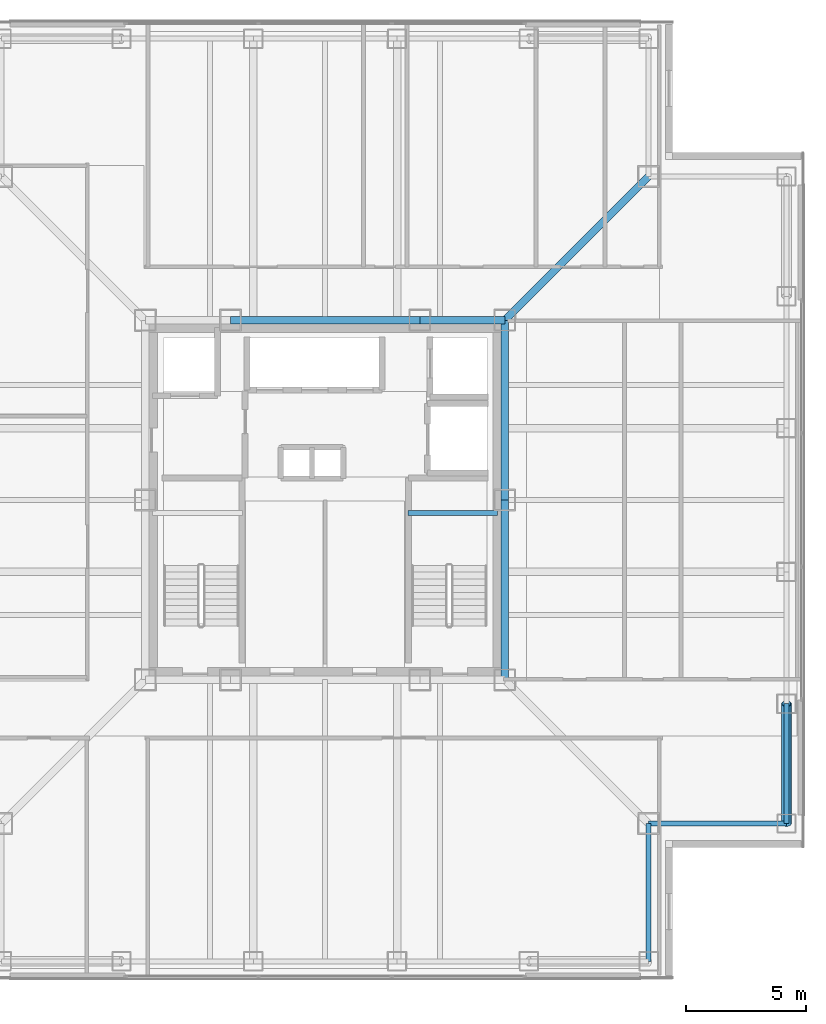
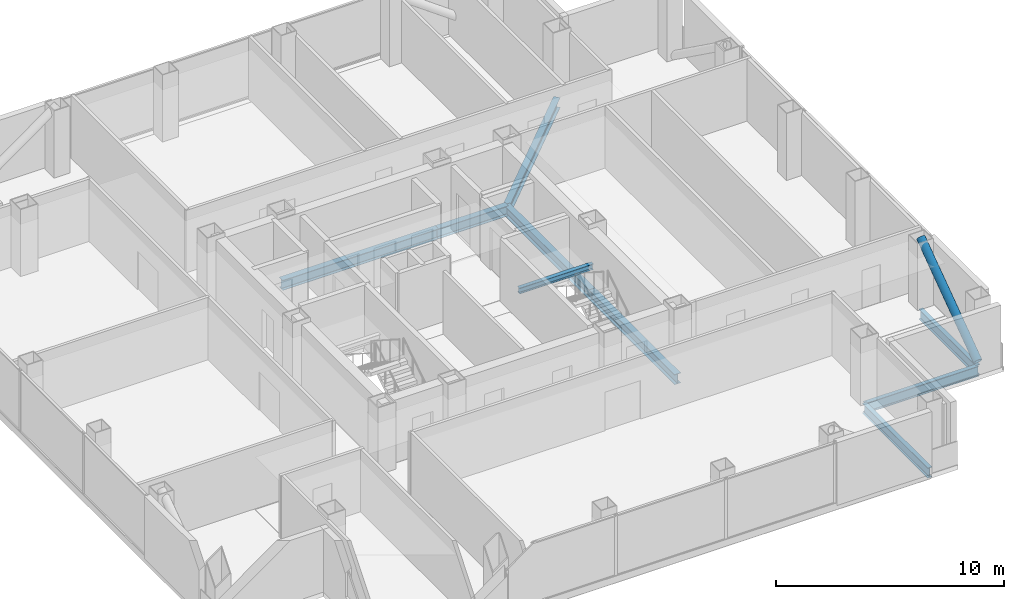
# One storey, part 5 of 16: 9 beams, 1 member.
"""IFC4 building model written with IfcOpenShell, lengths in metres."""

from ifc_helpers import new_model, si_unit, direction, frame, origin, origin_2d, place, context, subcontext, project, spatial, hollow_circle, i_section, extrude, material, material_profile, profile_set, type_object, element, save


model = new_model("IFC4")

# Units and contexts
model_context = context("Model", 3, precision=1e-05, world=origin(), true_north=direction((0.0, 1.0)))
body_context = subcontext(model_context, "Body", "Model", "MODEL_VIEW")
ifc_project = project(units=[si_unit("LENGTHUNIT", "METRE"), si_unit("AREAUNIT", "SQUARE_METRE"), si_unit("VOLUMEUNIT", "CUBIC_METRE"), si_unit("PLANEANGLEUNIT", "RADIAN"), si_unit("MASSUNIT", "GRAM", prefix="KILO")], contexts=[model_context])

# Site, building, storey
site_placement = place(None, origin())
site = spatial("IfcSite", under=ifc_project, at=site_placement, CompositionType="ELEMENT")
building_placement = place(site_placement, origin())
building = spatial("IfcBuilding", under=site, at=building_placement, Name="Trevonay Congress Spire", CompositionType="ELEMENT")
storey_placement = place(building_placement, frame((0.0, 0.0, 180.60009765625)))
storey = spatial("IfcBuildingStorey", under=building, at=storey_placement, Name="L46", CompositionType="ELEMENT", Elevation=180.60009765625)

# Beams
ifc_material_1 = material(Name="Steel ASTM A572 Grade 50", Category="steel")
ifc_material_profile_1 = material_profile(ifc_material_1, i_section(OverallWidth=0.31201171875, OverallDepth=0.54296875, WebThickness=0.0126953125, FlangeThickness=0.020263671875, FilletRadius=0.014892578125, at=origin_2d()), Name="W530x150")
ifc_profile_set_1 = profile_set([ifc_material_profile_1], Name="Steel ASTM A572 Grade 50")
beam_type_1 = type_object("IfcBeamType", Name="BM-GIRD-W530X150", PredefinedType="BEAM", material=ifc_profile_set_1)
beam_1_placement = place(storey_placement, frame((-3.949951171875, 7.5, -0.51171875), z_axis=(1.0, 0.0, 0.0), x_axis=(0.0, 1.0, 0.0)))
element("IfcBeam", 1, at=beam_1_placement, inside=storey, type_object=beam_type_1, Name="L46 structural beam BM-L46-CR-N2", PredefinedType="BEAM", context=body_context, shape_type="SweptSolid", body=[
    extrude(i_section(OverallWidth=0.31201171875, OverallDepth=0.54296875, WebThickness=0.0126953125, FlangeThickness=0.020263671875, FilletRadius=0.014892578125, at=origin_2d()), origin(), (0.0, 0.0, 1.0), 7.89990234375),
])
beam_2_placement = place(storey_placement, frame((3.949951171875, 7.5, -0.51171875), z_axis=(1.0, 0.0, 0.0), x_axis=(0.0, 1.0, 0.0)))
element("IfcBeam", 2, at=beam_2_placement, inside=storey, type_object=beam_type_1, Name="L46 structural beam BM-L46-CR-N3", PredefinedType="BEAM", context=body_context, shape_type="SweptSolid", body=[
    extrude(i_section(OverallWidth=0.31201171875, OverallDepth=0.54296875, WebThickness=0.0126953125, FlangeThickness=0.020263671875, FilletRadius=0.014892578125, at=origin_2d()), origin(), (0.0, 0.0, 1.0), 3.550048828125),
])
for number, where, z_axis, x_axis, name in (
    (3, (7.5, -7.5, -0.51171875), (0.0, 1.0, 0.0), (-1.0, 0.0, 0.0), "L46 structural beam BM-L46-CR-E1"),
    (4, (7.5, 0.0, -0.51171875), (0.0, 1.0, 0.0), (-1.0, 0.0, 0.0), "L46 structural beam BM-L46-CR-E2"),
):
    element("IfcBeam", number, at=place(storey_placement, frame(where, z_axis=z_axis, x_axis=x_axis)), inside=storey, type_object=beam_type_1, Name=name, PredefinedType="BEAM", context=body_context, shape_type="SweptSolid", body=[
        extrude(i_section(OverallWidth=0.31201171875, OverallDepth=0.54296875, WebThickness=0.0126953125, FlangeThickness=0.020263671875, FilletRadius=0.014892578125, at=origin_2d()), origin(), (0.0, 0.0, 1.0), 7.5),
    ])
beam_3_placement = place(storey_placement, frame((7.5, 7.5, -0.51171875), z_axis=(0.707106781187, 0.707106781187, 0.0), x_axis=(-0.707106781187, 0.707106781187, 0.0)))
element("IfcBeam", 5, at=beam_3_placement, inside=storey, type_object=beam_type_1, Name="L46 structural beam BM-L46-CDNE", PredefinedType="BEAM", context=body_context, shape_type="SweptSolid", body=[
    extrude(i_section(OverallWidth=0.31201171875, OverallDepth=0.54296875, WebThickness=0.0126953125, FlangeThickness=0.020263671875, FilletRadius=0.014892578125, at=origin_2d()), origin(), (0.0, 0.0, 1.0), 8.4853515625),
])
ifc_material_profile_2 = material_profile(ifc_material_1, i_section(OverallWidth=0.2119140625, OverallDepth=0.5439453125, WebThickness=0.01318359375, FlangeThickness=0.021240234375, FilletRadius=0.014892578125, at=origin_2d()), Name="W530x123")
ifc_profile_set_2 = profile_set([ifc_material_profile_2], Name="Steel ASTM A572 Grade 50")
beam_type_2 = type_object("IfcBeamType", Name="BM-RING-W530X123", PredefinedType="BEAM", material=ifc_profile_set_2)
beam_4_placement = place(storey_placement, frame((19.25, -13.5, -0.51220703125), z_axis=(0.0, 1.0, 0.0), x_axis=(-1.0, 0.0, 0.0)))
element("IfcBeam", 6, at=beam_4_placement, inside=storey, type_object=beam_type_2, Name="L46 structural beam BM-L46-PE1", PredefinedType="BEAM", context=body_context, shape_type="SweptSolid", body=[
    extrude(i_section(OverallWidth=0.2119140625, OverallDepth=0.5439453125, WebThickness=0.01318359375, FlangeThickness=0.021240234375, FilletRadius=0.014892578125, at=origin_2d()), origin(), (0.0, 0.0, 1.0), 5.0),
])
for number, where, z_axis, x_axis, name in (
    (7, (13.5, -19.25, -0.51220703125), (0.0, 1.0, 0.0), (-1.0, 0.0, 0.0), "L46 structural beam BM-L46-N1SE"),
    (8, (19.25, -13.5, -0.51220703125), (-1.0, 0.0, 0.0), (0.0, -1.0, 0.0), "L46 structural beam BM-L46-N2SE"),
):
    element("IfcBeam", number, at=place(storey_placement, frame(where, z_axis=z_axis, x_axis=x_axis)), inside=storey, type_object=beam_type_2, Name=name, PredefinedType="BEAM", context=body_context, shape_type="SweptSolid", body=[
        extrude(i_section(OverallWidth=0.2119140625, OverallDepth=0.5439453125, WebThickness=0.01318359375, FlangeThickness=0.021240234375, FilletRadius=0.014892578125, at=origin_2d()), origin(), (0.0, 0.0, 1.0), 5.75),
    ])
ifc_material_profile_3 = material_profile(ifc_material_1, i_section(OverallWidth=0.2041015625, OverallDepth=0.305908203125, WebThickness=0.008544921875, FlangeThickness=0.0146484375, FilletRadius=0.010986328125, at=origin_2d()), Name="W310x67")
ifc_profile_set_3 = profile_set([ifc_material_profile_3], Name="Steel ASTM A572 Grade 50")
beam_type_3 = type_object("IfcBeamType", Name="LN-CORE-W310X67", PredefinedType="LINTEL", material=ifc_profile_set_3)
beam_5_placement = place(storey_placement, frame((3.449951171875, -0.550048828125, 1.447021484375), z_axis=(1.0, 0.0, 0.0), x_axis=(0.0, 1.0, 0.0)))
element("IfcBeam", 9, at=beam_5_placement, inside=storey, type_object=beam_type_3, Name="L46 structural beam BM-L46-HL-ST2", PredefinedType="LINTEL", context=body_context, shape_type="SweptSolid", body=[
    extrude(i_section(OverallWidth=0.2041015625, OverallDepth=0.305908203125, WebThickness=0.008544921875, FlangeThickness=0.0146484375, FilletRadius=0.010986328125, at=origin_2d()), origin(), (0.0, 0.0, 1.0), 3.75),
])

# Member
ifc_material_2 = material(Name="Steel ASTM A500 Grade C", Category="steel")
ifc_material_profile_4 = material_profile(ifc_material_2, hollow_circle(Radius=0.203125, WallThickness=0.02001953125, at=origin_2d()), Name="CHS 406.4x20")
ifc_profile_set_4 = profile_set([ifc_material_profile_4], Name="Steel ASTM A500 Grade C")
member_type = type_object("IfcMemberType", Name="MBR-TUBE-CHS406", PredefinedType="BRACE", material=ifc_profile_set_4)
member_placement = place(storey_placement, frame((19.25, -13.5, -0.050048828125), z_axis=(0.0, 0.811545615365, 0.584289067313), x_axis=(-1.0, 0.0, 0.0)))
element("IfcMember", 10, at=member_placement, inside=storey, type_object=member_type, Name="L46 perimeter braced-tube diagonal E0", PredefinedType="BRACE", context=body_context, shape_type="SweptSolid", body=[
    extrude(hollow_circle(Radius=0.203125, WallThickness=0.02001953125, at=origin_2d()), origin(), (0.0, 0.0, 1.0), 6.1611328125),
])

save(model, "model.ifc")
